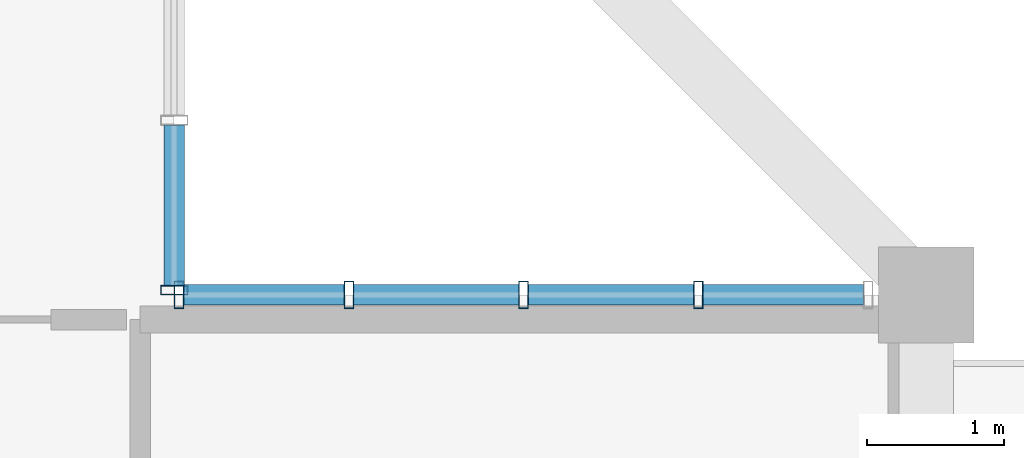
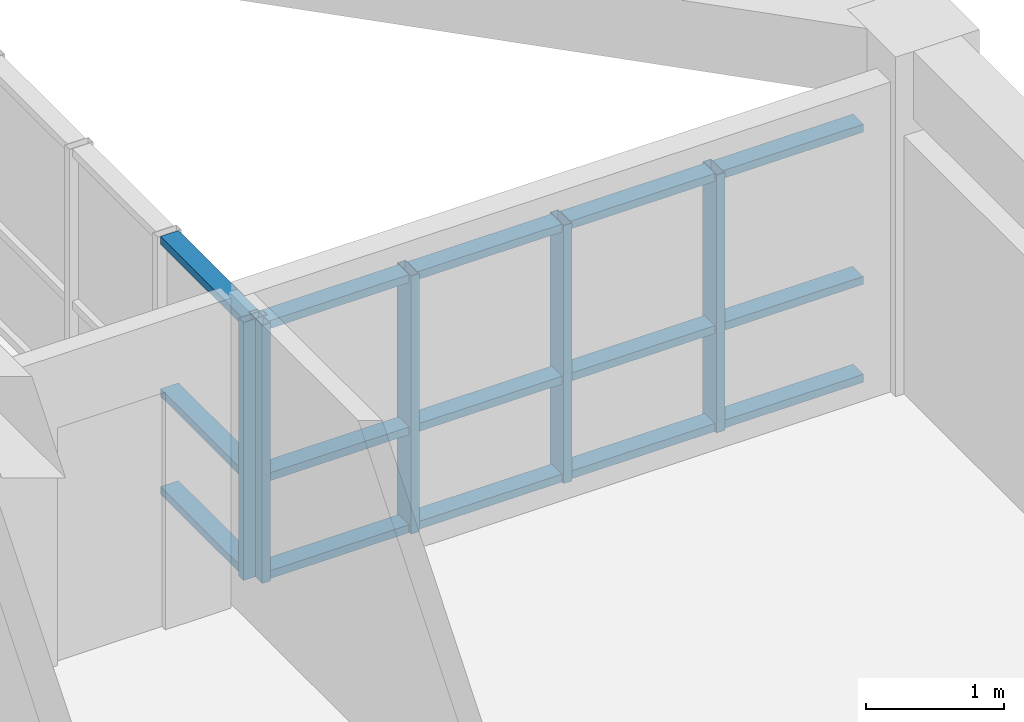
# One storey, part 10 of 24: 20 members, 2 elements without a shape of their own.
"""IFC4 building model written with IfcOpenShell, lengths in metres."""

import ifcopenshell
import ifcopenshell.guid

model = None  # the IFC model being written
_history = None  # IfcOwnerHistory: only IFC2X3 demands one
_inside = {}  # id of a spatial element -> (the spatial element, [elements in it])
_under = {}  # id of a project, library or spatial element -> (it, [spatial elements below it])
_declared = {}  # id of a project -> (the project, [libraries it declares])
_typed = {}  # id of a type object -> (the type object, [elements of that type])
_made_of = {}  # id of a material, layer set ... -> (it, [elements and type objects made of it])


def new_model(schema):
    """Start an empty IFC model of exactly this schema.

    Asked for "IFC4X3", IfcOpenShell would pick the latest addendum, in which some entities
    have other attributes; the version numbers below select the first issue.
    IFC2X3 requires an IfcOwnerHistory on every rooted entity: one is made here for all.
    """
    global model, _history
    if schema == "IFC4X3":
        model = ifcopenshell.file(schema_version=(4, 3, 0, 0))
    else:
        model = ifcopenshell.file(schema=schema)
    _inside.clear()
    _under.clear()
    _declared.clear()
    _typed.clear()
    _made_of.clear()
    _history = None
    if model.schema == "IFC2X3":
        org = make("IfcOrganization", Name="unknown")
        user = make(
            "IfcPersonAndOrganization",
            ThePerson=make("IfcPerson", FamilyName="unknown"),
            TheOrganization=org,
        )
        app = make(
            "IfcApplication",
            ApplicationDeveloper=org,
            Version="unknown",
            ApplicationFullName="unknown",
            ApplicationIdentifier="unknown",
        )
        _history = make(
            "IfcOwnerHistory",
            OwningUser=user,
            OwningApplication=app,
            ChangeAction="ADDED",
            CreationDate=0,
        )
    return model


def make(cls, **values):
    """One entity of the class cls with the attributes given. An attribute that is None is left unset."""
    return model.create_entity(
        cls, **{name: value for name, value in values.items() if value is not None}
    )


def rooted(cls, **values):
    """An entity with a GlobalId (a new one), such as an element, a storey or a relation."""
    return make(cls, GlobalId=ifcopenshell.guid.new(), OwnerHistory=_history, **values)


def si_unit(unit_type, name, prefix=None):
    """IfcSIUnit, for example si_unit("LENGTHUNIT", "METRE", prefix="MILLI")."""
    return make("IfcSIUnit", UnitType=unit_type, Prefix=prefix, Name=name)


def assignment(units):
    """IfcUnitAssignment: the units of a project."""
    return None if units is None else make("IfcUnitAssignment", Units=units)


def point(xyz):
    """IfcCartesianPoint."""
    return None if xyz is None else make("IfcCartesianPoint", Coordinates=xyz)


def direction(xyz):
    """IfcDirection."""
    return None if xyz is None else make("IfcDirection", DirectionRatios=xyz)


def frame(location, z_axis=None, x_axis=None):
    """IfcAxis2Placement3D, a coordinate frame: its origin and axes. An axis left out is left unset."""
    return make(
        "IfcAxis2Placement3D",
        Location=point(location),
        Axis=direction(z_axis),
        RefDirection=direction(x_axis),
    )


def frame_2d(location, x_axis=None):
    """IfcAxis2Placement2D, a coordinate frame in the plane: its origin and x axis."""
    return make(
        "IfcAxis2Placement2D", Location=point(location), RefDirection=direction(x_axis)
    )


def origin():
    """The frame at (0, 0, 0) with its axes left unset."""
    return frame((0.0, 0.0, 0.0))


def origin_2d():
    """The frame at (0, 0) in the plane with its x axis left unset."""
    return frame_2d((0.0, 0.0))


def place(relative_to, where):
    """IfcLocalPlacement: puts the frame where relative to a parent placement (None: the world)."""
    return make(
        "IfcLocalPlacement", PlacementRelTo=relative_to, RelativePlacement=where
    )


def context(
    kind, dimensions, precision=None, world=None, true_north=None, identifier=None
):
    """IfcGeometricRepresentationContext, for example the 3D "Model" context."""
    return make(
        "IfcGeometricRepresentationContext",
        ContextIdentifier=identifier,
        ContextType=kind,
        CoordinateSpaceDimension=dimensions,
        Precision=precision,
        WorldCoordinateSystem=world,
        TrueNorth=true_north,
    )


def subcontext(parent, identifier, kind, view, scale=None):
    """IfcGeometricRepresentationSubContext, for example "Body" below "Model"."""
    return make(
        "IfcGeometricRepresentationSubContext",
        ContextIdentifier=identifier,
        ContextType=kind,
        ParentContext=parent,
        TargetScale=scale,
        TargetView=view,
    )


def project(units=None, contexts=None):
    """IfcProject with its units and contexts."""
    return rooted(
        "IfcProject",
        Name="project",
        RepresentationContexts=contexts,
        UnitsInContext=assignment(units),
    )


def spatial(cls, under=None, at=None, **own):
    """A site, building, storey or space (cls), placed at a placement, below another one or the project."""
    s = rooted(cls, ObjectPlacement=at, **own)
    if under is not None:
        _under.setdefault(under.id(), (under, []))[1].append(s)
    return s


def profile(cls, at=None, kind="AREA", **sizes):
    """A parametric profile (cls). Its sizes go by their IFC names, for example OverallWidth=200.0."""
    return make(cls, ProfileType=kind, Position=at, **sizes)


def hollow_rectangle(**sizes):
    """IfcRectangleHollowProfileDef."""
    return profile("IfcRectangleHollowProfileDef", **sizes)


def extrude(swept, where, along, depth):
    """IfcExtrudedAreaSolid: the profile swept, set in the frame where, extruded along a direction by depth."""
    return make(
        "IfcExtrudedAreaSolid",
        SweptArea=swept,
        Position=where,
        ExtrudedDirection=direction(along),
        Depth=depth,
    )


def shape(context_of_items, identifier, shape_type, items):
    """IfcShapeRepresentation: the items that make up one representation, for example the "Body"."""
    return make(
        "IfcShapeRepresentation",
        ContextOfItems=context_of_items,
        RepresentationIdentifier=identifier,
        RepresentationType=shape_type,
        Items=items,
    )


def source(mapping_origin, context_of_items, identifier, shape_type, items):
    """IfcRepresentationMap: a shape defined once, which mapped items show again and again."""
    return make(
        "IfcRepresentationMap",
        MappingOrigin=mapping_origin,
        MappedRepresentation=shape(context_of_items, identifier, shape_type, items),
    )


def transform(
    local_origin,
    x_axis=None,
    y_axis=None,
    z_axis=None,
    scale=None,
    scale2=None,
    scale3=None,
    uniform=True,
):
    """IfcCartesianTransformationOperator3D, or its non-uniform kind. x_axis, y_axis, z_axis: its Axis1, 2, 3."""
    if uniform:
        return make(
            "IfcCartesianTransformationOperator3D",
            Axis1=direction(x_axis),
            Axis2=direction(y_axis),
            LocalOrigin=point(local_origin),
            Scale=scale,
            Axis3=direction(z_axis),
        )
    return make(
        "IfcCartesianTransformationOperator3DnonUniform",
        Axis1=direction(x_axis),
        Axis2=direction(y_axis),
        LocalOrigin=point(local_origin),
        Scale=scale,
        Axis3=direction(z_axis),
        Scale2=scale2,
        Scale3=scale3,
    )


def mapped(mapping_source, mapping_target):
    """IfcMappedItem: shows the shape of a source again, moved by a transform."""
    return make(
        "IfcMappedItem", MappingSource=mapping_source, MappingTarget=mapping_target
    )


def material(Name=None, Category=None):
    """IfcMaterial."""
    return make("IfcMaterial", Name=Name, Category=Category)


def layer(
    of_material, thickness, ventilated=None, Name=None, Category=None, Priority=None
):
    """IfcMaterialLayer: one layer of a wall or slab, of a material (None: an air gap)."""
    return make(
        "IfcMaterialLayer",
        Material=of_material,
        LayerThickness=thickness,
        IsVentilated=ventilated,
        Name=Name,
        Category=Category,
        Priority=Priority,
    )


def layer_set(layers, Name=None):
    """IfcMaterialLayerSet."""
    return make("IfcMaterialLayerSet", MaterialLayers=layers, LayerSetName=Name)


def material_profile(
    of_material, cross_section, Name=None, Category=None, Priority=None
):
    """IfcMaterialProfile: a cross section and its material."""
    return make(
        "IfcMaterialProfile",
        Name=Name,
        Material=of_material,
        Profile=cross_section,
        Priority=Priority,
        Category=Category,
    )


def profile_set(profiles, Name=None, composite=None):
    """IfcMaterialProfileSet."""
    return make(
        "IfcMaterialProfileSet",
        Name=Name,
        MaterialProfiles=profiles,
        CompositeProfile=composite,
    )


def made_of(thing, what):
    """Note that an element or type object is made of a material, layer set ...; save() writes the relation."""
    if what is not None:
        _made_of.setdefault(what.id(), (what, []))[1].append(thing)
    return thing


def type_object(cls, material=None, **own):
    """A type object (cls), such as IfcWallType, which elements share."""
    return made_of(rooted(cls, **own), material)


def element(
    cls,
    number,
    at=None,
    inside=None,
    cuts=None,
    type_object=None,
    material=None,
    context=None,
    identifier="Body",
    shape_type=None,
    held_by="IfcProductDefinitionShape",
    body=None,
    shapes=None,
    **own,
):
    """One element of the class cls, such as IfcWall. Its Tag is "e" and its number.

    at: its placement. inside: the storey or other place that contains it. cuts: it is an
    opening in that element (IfcRelVoidsElement). A single representation is given by context,
    identifier, shape_type and body (its items); several are given by shapes. held_by: the class
    of the entity that holds the representations. save() writes the other relations.
    """
    e = rooted(cls, Tag="e%d" % number, ObjectPlacement=at, **own)
    if body is not None:
        shapes = [shape(context, identifier, shape_type, body)]
    if shapes is not None:
        e.Representation = make(held_by, Representations=shapes)
    if inside is not None:
        _inside.setdefault(inside.id(), (inside, []))[1].append(e)
    if cuts is not None:
        rooted(
            "IfcRelVoidsElement", RelatingBuildingElement=cuts, RelatedOpeningElement=e
        )
    if type_object is not None:
        _typed.setdefault(type_object.id(), (type_object, []))[1].append(e)
    return made_of(e, material)


def aggregate(whole, parts):
    """IfcRelAggregates: a whole, such as a stair, and the parts it consists of."""
    return rooted("IfcRelAggregates", RelatingObject=whole, RelatedObjects=parts)


def save(model, path):
    """Write the relations noted so far, then the file.

    IfcRelAggregates (storeys below a building ...), IfcRelContainedInSpatialStructure (elements
    in a storey), IfcRelDefinesByType, IfcRelAssociatesMaterial and IfcRelDeclares: one each for
    every whole, place, type object, material and project.
    """
    for whole, parts in _under.values():
        aggregate(whole, parts)
    for where, things in _inside.values():
        rooted(
            "IfcRelContainedInSpatialStructure",
            RelatedElements=things,
            RelatingStructure=where,
        )
    for kind, things in _typed.values():
        rooted("IfcRelDefinesByType", RelatedObjects=things, RelatingType=kind)
    for what, things in _made_of.values():
        rooted("IfcRelAssociatesMaterial", RelatedObjects=things, RelatingMaterial=what)
    for by, libraries in _declared.values():
        rooted("IfcRelDeclares", RelatingContext=by, RelatedDefinitions=libraries)
    model.write(path)


model = new_model("IFC4")

# Units and contexts
model_context = context("Model", 3, precision=1e-05, world=origin(), true_north=direction((0.0, 1.0)))
body_context = subcontext(model_context, "Body", "Model", "MODEL_VIEW")
ifc_project = project(units=[si_unit("LENGTHUNIT", "METRE"), si_unit("AREAUNIT", "SQUARE_METRE"), si_unit("VOLUMEUNIT", "CUBIC_METRE"), si_unit("PLANEANGLEUNIT", "RADIAN"), si_unit("MASSUNIT", "GRAM", prefix="KILO")], contexts=[model_context])

# Site, building, storey
site_placement = place(None, origin())
site = spatial("IfcSite", under=ifc_project, at=site_placement, CompositionType="ELEMENT")
building_placement = place(site_placement, origin())
building = spatial("IfcBuilding", under=site, at=building_placement, Name="Saelheon Loggia Tower", CompositionType="ELEMENT")
storey_placement = place(building_placement, frame((0.0, 0.0, 246.0)))
storey = spatial("IfcBuildingStorey", under=building, at=storey_placement, Name="L76", CompositionType="ELEMENT", Elevation=246.0)

# Curtain wall, member
ifc_material_1 = material(Name="High-Wind Aluminium and Triple Laminated Glass", Category="aluminium")
ifc_layer = layer(ifc_material_1, 0.179931640625)
ifc_layer_set = layer_set([ifc_layer], Name="High-Wind Aluminium and Triple Laminated Glass")
curtain_wall_type = type_object("IfcCurtainWallType", Name="CW_TowerLoggiaHigh", PredefinedType="NOTDEFINED", material=ifc_layer_set)
curtain_wall_1_placement = place(storey_placement, origin())
curtain_wall_1 = element("IfcCurtainWall", 1, at=curtain_wall_1_placement, inside=storey, type_object=curtain_wall_type, Name="L76 Corner Notch Glazing NE1", PredefinedType="NOTDEFINED")
ifc_material_2 = material(Name="Anodised Aluminium 6063-T6", Category="aluminium")
ifc_material_profile_1 = material_profile(ifc_material_2, hollow_rectangle(XDim=0.070068359375, YDim=0.199951171875, WallThickness=0.0048828125, at=origin_2d()), Name="RHS-200x70x5")
ifc_profile_set_1 = profile_set([ifc_material_profile_1], Name="Anodised Aluminium 6063-T6")
member_type_1 = type_object("IfcMemberType", Name="CW_TowerLoggiaHigh_Mullion", PredefinedType="MULLION", material=ifc_profile_set_1)
shared_shape_1 = source(origin(), body_context, "Body", "SweptSolid", [
    extrude(hollow_rectangle(XDim=0.070068359375, YDim=0.199951171875, WallThickness=0.0048828125, at=origin_2d()), origin(), (0.0, 0.0, 1.0), 2.280029296875),
])
member_1_placement = place(storey_placement, frame((47.5, 42.534912109375, 0.0), z_axis=(0.0, 0.0, 1.0), x_axis=(0.0, 1.0, 0.0)))
member_1 = element("IfcMember", 2, at=member_1_placement, type_object=member_type_1, Name="CW4 mullion 1", PredefinedType="MULLION", context=body_context, shape_type="MappedRepresentation", body=[
    mapped(shared_shape_1, transform((0.0, 0.0, 0.0), scale=1.0)),
])

# Curtain wall, members
curtain_wall_2_placement = place(storey_placement, origin())
curtain_wall_2 = element("IfcCurtainWall", 3, at=curtain_wall_2_placement, inside=storey, type_object=curtain_wall_type, Name="L76 Corner Notch Glazing NE2", PredefinedType="NOTDEFINED")
member_2_placement = place(storey_placement, frame((47.534912109375, 42.5, 0.0), z_axis=(0.0, 0.0, 1.0), x_axis=(1.0, 0.0, 0.0)))
member_2 = element("IfcMember", 4, at=member_2_placement, type_object=member_type_1, Name="CW4 mullion 1", PredefinedType="MULLION", context=body_context, shape_type="MappedRepresentation", body=[
    mapped(shared_shape_1, transform((0.0, 0.0, 0.0), scale=1.0)),
])
member_3_placement = place(storey_placement, frame((48.777587890625, 42.5, 0.0), z_axis=(0.0, 0.0, 1.0), x_axis=(1.0, 0.0, 0.0)))
member_3 = element("IfcMember", 5, at=member_3_placement, type_object=member_type_1, Name="CW4 mullion 2", PredefinedType="MULLION", context=body_context, shape_type="MappedRepresentation", body=[
    mapped(shared_shape_1, transform((0.0, 0.0, 0.0), scale=1.0)),
])
member_4_placement = place(storey_placement, frame((50.054931640625, 42.5, 0.0), z_axis=(0.0, 0.0, 1.0), x_axis=(1.0, 0.0, 0.0)))
member_4 = element("IfcMember", 6, at=member_4_placement, type_object=member_type_1, Name="CW4 mullion 3", PredefinedType="MULLION", context=body_context, shape_type="MappedRepresentation", body=[
    mapped(shared_shape_1, transform((0.0, 0.0, 0.0), scale=1.0)),
])
member_5_placement = place(storey_placement, frame((51.33251953125, 42.5, 0.0), z_axis=(0.0, 0.0, 1.0), x_axis=(1.0, 0.0, 0.0)))
member_5 = element("IfcMember", 7, at=member_5_placement, type_object=member_type_1, Name="CW4 mullion 4", PredefinedType="MULLION", context=body_context, shape_type="MappedRepresentation", body=[
    mapped(shared_shape_1, transform((0.0, 0.0, 0.0), scale=1.0)),
])
ifc_material_profile_2 = material_profile(ifc_material_2, hollow_rectangle(XDim=0.070068359375, YDim=0.14990234375, WallThickness=0.0048828125, at=origin_2d()), Name="RHS-150x70x5")
ifc_profile_set_2 = profile_set([ifc_material_profile_2], Name="Anodised Aluminium 6063-T6")
member_type_2 = type_object("IfcMemberType", Name="CW_TowerLoggiaHigh_Transom", PredefinedType="USERDEFINED", material=ifc_profile_set_2)
shared_shape_2 = source(origin(), body_context, "Body", "SweptSolid", [
    extrude(hollow_rectangle(XDim=0.070068359375, YDim=0.14990234375, WallThickness=0.0048828125, at=origin_2d()), origin(), (0.0, 0.0, 1.0), 1.172607421875),
])
member_6_placement = place(storey_placement, frame((51.367431640625, 42.5, 0.034912109375), z_axis=(1.0, 0.0, 0.0), x_axis=(0.0, 0.0, 1.0)))
member_6 = element("IfcMember", 8, at=member_6_placement, type_object=member_type_2, Name="CW4 transom 4.1", ObjectType="TRANSOM", PredefinedType="USERDEFINED", context=body_context, shape_type="MappedRepresentation", body=[
    mapped(shared_shape_2, transform((0.0, 0.0, 0.0), scale=1.0)),
])
member_7_placement = place(storey_placement, frame((51.367431640625, 42.5, 0.89990234375), z_axis=(1.0, 0.0, 0.0), x_axis=(0.0, 0.0, 1.0)))
member_7 = element("IfcMember", 9, at=member_7_placement, type_object=member_type_2, Name="CW4 transom 4.2", ObjectType="TRANSOM", PredefinedType="USERDEFINED", context=body_context, shape_type="MappedRepresentation", body=[
    mapped(shared_shape_2, transform((0.0, 0.0, 0.0), scale=1.0)),
])
member_8_placement = place(storey_placement, frame((51.367431640625, 42.5, 2.2451171875), z_axis=(1.0, 0.0, 0.0), x_axis=(0.0, 0.0, 1.0)))
member_8 = element("IfcMember", 10, at=member_8_placement, type_object=member_type_2, Name="CW4 transom 4.3", ObjectType="TRANSOM", PredefinedType="USERDEFINED", context=body_context, shape_type="MappedRepresentation", body=[
    mapped(shared_shape_2, transform((0.0, 0.0, 0.0), scale=1.0)),
])
shared_shape_3 = source(origin(), body_context, "Body", "SweptSolid", [
    extrude(hollow_rectangle(XDim=0.070068359375, YDim=0.14990234375, WallThickness=0.0048828125, at=origin_2d()), origin(), (0.0, 0.0, 1.0), 1.20751953125),
])
member_9_placement = place(storey_placement, frame((48.8125, 42.5, 0.034912109375), z_axis=(1.0, 0.0, 0.0), x_axis=(0.0, 0.0, 1.0)))
member_9 = element("IfcMember", 11, at=member_9_placement, type_object=member_type_2, Name="CW4 transom 2.1", ObjectType="TRANSOM", PredefinedType="USERDEFINED", context=body_context, shape_type="MappedRepresentation", body=[
    mapped(shared_shape_3, transform((0.0, 0.0, 0.0), scale=1.0)),
])
member_10_placement = place(storey_placement, frame((48.8125, 42.5, 0.89990234375), z_axis=(1.0, 0.0, 0.0), x_axis=(0.0, 0.0, 1.0)))
member_10 = element("IfcMember", 12, at=member_10_placement, type_object=member_type_2, Name="CW4 transom 2.2", ObjectType="TRANSOM", PredefinedType="USERDEFINED", context=body_context, shape_type="MappedRepresentation", body=[
    mapped(shared_shape_3, transform((0.0, 0.0, 0.0), scale=1.0)),
])
member_11_placement = place(storey_placement, frame((48.8125, 42.5, 2.2451171875), z_axis=(1.0, 0.0, 0.0), x_axis=(0.0, 0.0, 1.0)))
member_11 = element("IfcMember", 13, at=member_11_placement, type_object=member_type_2, Name="CW4 transom 2.3", ObjectType="TRANSOM", PredefinedType="USERDEFINED", context=body_context, shape_type="MappedRepresentation", body=[
    mapped(shared_shape_3, transform((0.0, 0.0, 0.0), scale=1.0)),
])
member_12_placement = place(storey_placement, frame((50.090087890625, 42.5, 0.034912109375), z_axis=(1.0, 0.0, 0.0), x_axis=(0.0, 0.0, 1.0)))
member_12 = element("IfcMember", 14, at=member_12_placement, type_object=member_type_2, Name="CW4 transom 3.1", ObjectType="TRANSOM", PredefinedType="USERDEFINED", context=body_context, shape_type="MappedRepresentation", body=[
    mapped(shared_shape_3, transform((0.0, 0.0, 0.0), scale=1.0)),
])
member_13_placement = place(storey_placement, frame((50.090087890625, 42.5, 0.89990234375), z_axis=(1.0, 0.0, 0.0), x_axis=(0.0, 0.0, 1.0)))
member_13 = element("IfcMember", 15, at=member_13_placement, type_object=member_type_2, Name="CW4 transom 3.2", ObjectType="TRANSOM", PredefinedType="USERDEFINED", context=body_context, shape_type="MappedRepresentation", body=[
    mapped(shared_shape_3, transform((0.0, 0.0, 0.0), scale=1.0)),
])
member_14_placement = place(storey_placement, frame((50.090087890625, 42.5, 2.2451171875), z_axis=(1.0, 0.0, 0.0), x_axis=(0.0, 0.0, 1.0)))
member_14 = element("IfcMember", 16, at=member_14_placement, type_object=member_type_2, Name="CW4 transom 3.3", ObjectType="TRANSOM", PredefinedType="USERDEFINED", context=body_context, shape_type="MappedRepresentation", body=[
    mapped(shared_shape_3, transform((0.0, 0.0, 0.0), scale=1.0)),
])

# Member
shared_shape_4 = source(origin(), body_context, "Body", "SweptSolid", [
    extrude(hollow_rectangle(XDim=0.070068359375, YDim=0.14990234375, WallThickness=0.0048828125, at=origin_2d()), origin(), (0.0, 0.0, 1.0), 1.17236328125),
])
member_15_placement = place(storey_placement, frame((47.5, 42.570068359375, 0.034912109375), z_axis=(0.0, 1.0, 0.0), x_axis=(0.0, 0.0, 1.0)))
member_15 = element("IfcMember", 17, at=member_15_placement, type_object=member_type_2, Name="CW4 transom 1.1", ObjectType="TRANSOM", PredefinedType="USERDEFINED", context=body_context, shape_type="MappedRepresentation", body=[
    mapped(shared_shape_4, transform((0.0, 0.0, 0.0), scale=1.0)),
])

member_16_placement = place(storey_placement, frame((47.5, 42.570068359375, 0.89990234375), z_axis=(0.0, 1.0, 0.0), x_axis=(0.0, 0.0, 1.0)))
member_16 = element("IfcMember", 18, at=member_16_placement, type_object=member_type_2, Name="CW4 transom 1.2", ObjectType="TRANSOM", PredefinedType="USERDEFINED", context=body_context, shape_type="MappedRepresentation", body=[
    mapped(shared_shape_4, transform((0.0, 0.0, 0.0), scale=1.0)),
])

member_17_placement = place(storey_placement, frame((47.5, 42.570068359375, 2.2451171875), z_axis=(0.0, 1.0, 0.0), x_axis=(0.0, 0.0, 1.0)))
member_17 = element("IfcMember", 19, at=member_17_placement, type_object=member_type_2, Name="CW4 transom 1.3", ObjectType="TRANSOM", PredefinedType="USERDEFINED", context=body_context, shape_type="MappedRepresentation", body=[
    mapped(shared_shape_4, transform((0.0, 0.0, 0.0), scale=1.0)),
])

aggregate(curtain_wall_1, [member_1, member_15, member_16, member_17])

member_18_placement = place(storey_placement, frame((47.570068359375, 42.5, 0.034912109375), z_axis=(1.0, 0.0, 0.0), x_axis=(0.0, 0.0, 1.0)))
member_18 = element("IfcMember", 20, at=member_18_placement, type_object=member_type_2, Name="CW4 transom 1.1", ObjectType="TRANSOM", PredefinedType="USERDEFINED", context=body_context, shape_type="MappedRepresentation", body=[
    mapped(shared_shape_4, transform((0.0, 0.0, 0.0), scale=1.0)),
])

member_19_placement = place(storey_placement, frame((47.570068359375, 42.5, 0.89990234375), z_axis=(1.0, 0.0, 0.0), x_axis=(0.0, 0.0, 1.0)))
member_19 = element("IfcMember", 21, at=member_19_placement, type_object=member_type_2, Name="CW4 transom 1.2", ObjectType="TRANSOM", PredefinedType="USERDEFINED", context=body_context, shape_type="MappedRepresentation", body=[
    mapped(shared_shape_4, transform((0.0, 0.0, 0.0), scale=1.0)),
])

member_20_placement = place(storey_placement, frame((47.570068359375, 42.5, 2.2451171875), z_axis=(1.0, 0.0, 0.0), x_axis=(0.0, 0.0, 1.0)))
member_20 = element("IfcMember", 22, at=member_20_placement, type_object=member_type_2, Name="CW4 transom 1.3", ObjectType="TRANSOM", PredefinedType="USERDEFINED", context=body_context, shape_type="MappedRepresentation", body=[
    mapped(shared_shape_4, transform((0.0, 0.0, 0.0), scale=1.0)),
])

aggregate(curtain_wall_2, [member_2, member_3, member_4, member_5, member_18, member_19, member_20, member_9, member_10, member_11, member_12, member_13, member_14, member_6, member_7, member_8])

save(model, "model.ifc")
